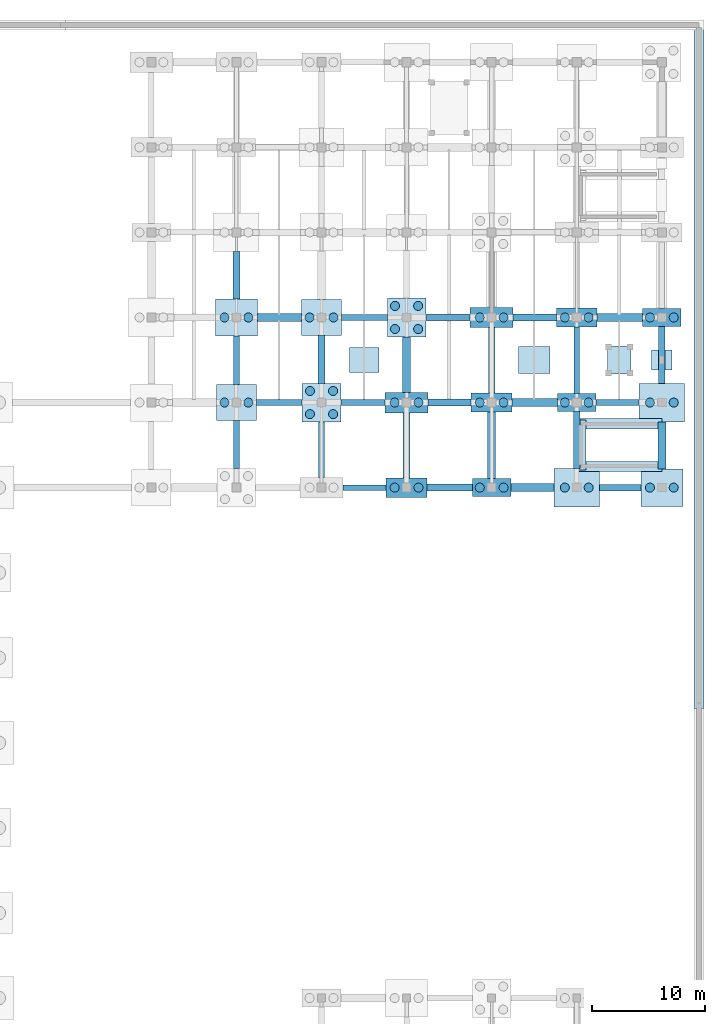
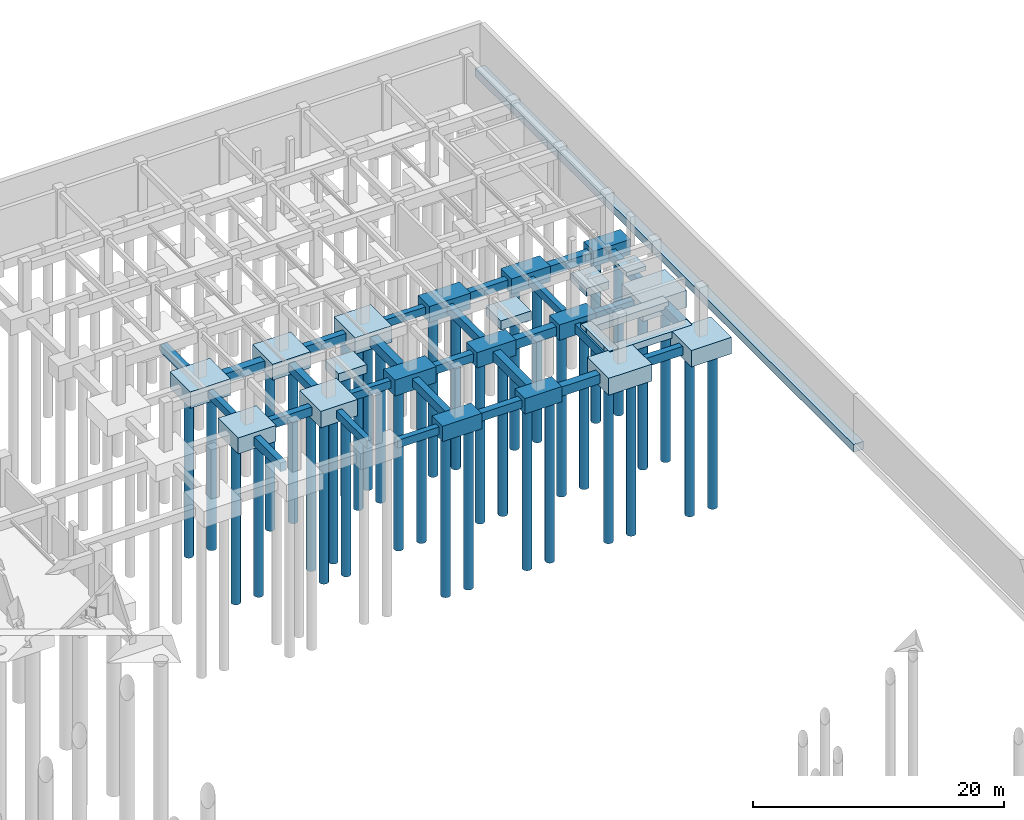
# One storey, part 11 of 38: 51 footings, 36 piles.
"""IFC4 building model written with IfcOpenShell, lengths in metres."""

from ifc_helpers import new_model, si_unit, direction, frame, origin, origin_2d, place, context, subcontext, project, spatial, polyline, rectangle, circle, outline, extrude, material, material_profile, profile_set, type_object, element, save


model = new_model("IFC4")

# Units and contexts
model_context = context("Model", 3, precision=1e-05, world=origin(), true_north=direction((0.0, 1.0)))
body_context = subcontext(model_context, "Body", "Model", "MODEL_VIEW")
ifc_project = project(units=[si_unit("LENGTHUNIT", "METRE"), si_unit("AREAUNIT", "SQUARE_METRE"), si_unit("VOLUMEUNIT", "CUBIC_METRE"), si_unit("PLANEANGLEUNIT", "RADIAN"), si_unit("MASSUNIT", "GRAM", prefix="KILO")], contexts=[model_context])

# Site, building, storey
site_placement = place(None, origin())
site = spatial("IfcSite", under=ifc_project, at=site_placement, CompositionType="ELEMENT")
building_placement = place(site_placement, origin())
building = spatial("IfcBuilding", under=site, at=building_placement, Name="Qasida Concert Hall", CompositionType="ELEMENT")
storey_placement = place(building_placement, frame((0.0, 0.0, -4.800048828125)))
storey = spatial("IfcBuildingStorey", under=building, at=storey_placement, Name="B1", CompositionType="ELEMENT", Elevation=-4.800048828125)

# Footings
ifc_material = material(Name="Concrete C40/50", Category="concrete")
footing_type_1 = type_object("IfcFootingType", Name="FT-GB-1", PredefinedType="FOOTING_BEAM", material=ifc_material)
footing_1_placement = place(storey_placement, frame((0.0, 0.0, -1.169921875)))
element("IfcFooting", 1, at=footing_1_placement, inside=storey, type_object=footing_type_1, Name="Ground tie beam GB-1 116", PredefinedType="FOOTING_BEAM", context=body_context, shape_type="SweptSolid", body=[
    extrude(outline(polyline([(136.89990234375, 74.75), (140.699951171875, 74.75), (140.699951171875, 75.25), (136.89990234375, 75.25), (136.89990234375, 74.75)])), origin(), (0.0, 0.0, 1.0), 0.75),
])
footing_2_placement = place(storey_placement, frame((0.0, 0.0, -1.169921875)))
element("IfcFooting", 2, at=footing_2_placement, inside=storey, type_object=footing_type_1, Name="Ground tie beam GB-1 136", PredefinedType="FOOTING_BEAM", context=body_context, shape_type="SweptSolid", body=[
    extrude(outline(polyline([(136.699951171875, 82.25), (140.60009765625, 82.25), (140.60009765625, 82.75), (136.699951171875, 82.75), (136.699951171875, 82.25)])), origin(), (0.0, 0.0, 1.0), 0.75),
])
footing_3_placement = place(storey_placement, frame((0.0, 0.0, -1.169921875)))
element("IfcFooting", 3, at=footing_3_placement, inside=storey, type_object=footing_type_1, Name="Ground tie beam GB-1 148", PredefinedType="FOOTING_BEAM", context=body_context, shape_type="SweptSolid", body=[
    extrude(outline(polyline([(144.199951171875, 89.75), (148.10009765625, 89.75), (148.10009765625, 90.25), (144.199951171875, 90.25), (144.199951171875, 89.75)])), origin(), (0.0, 0.0, 1.0), 0.75),
])
footing_4_placement = place(storey_placement, frame((0.0, 0.0, -1.169921875)))
element("IfcFooting", 4, at=footing_4_placement, inside=storey, type_object=footing_type_1, Name="Ground tie beam GB-1 316", PredefinedType="FOOTING_BEAM", context=body_context, shape_type="SweptSolid", body=[
    extrude(outline(polyline([(127.25, 84.10009765625), (127.75, 84.10009765625), (127.75, 88.35009765625), (127.25, 88.35009765625), (127.25, 84.10009765625)])), origin(), (0.0, 0.0, 1.0), 0.75),
])
footing_5_placement = place(storey_placement, frame((0.0, 0.0, -1.169921875)))
element("IfcFooting", 5, at=footing_5_placement, inside=storey, type_object=footing_type_1, Name="Ground tie beam GB-1 324", PredefinedType="FOOTING_BEAM", context=body_context, shape_type="SweptSolid", body=[
    extrude(outline(polyline([(134.75, 75.89990234375), (135.25, 75.89990234375), (135.25, 80.800048828125), (134.75, 80.800048828125), (134.75, 75.89990234375)])), origin(), (0.0, 0.0, 1.0), 0.75),
])
footing_6_placement = place(storey_placement, frame((0.0, 0.0, -1.169921875)))
element("IfcFooting", 6, at=footing_6_placement, inside=storey, type_object=footing_type_1, Name="Ground tie beam GB-1 352", PredefinedType="FOOTING_BEAM", context=body_context, shape_type="SweptSolid", body=[
    extrude(outline(polyline([(157.25, 83.300048828125), (157.75, 83.300048828125), (157.75, 89.14990234375), (157.25, 89.14990234375), (157.25, 83.300048828125)])), origin(), (0.0, 0.0, 1.0), 0.75),
])
footing_type_2 = type_object("IfcFootingType", Name="FT-GB-2", PredefinedType="FOOTING_BEAM", material=ifc_material)
footing_7_placement = place(storey_placement, frame((0.0, 0.0, -1.219970703125)))
element("IfcFooting", 7, at=footing_7_placement, inside=storey, type_object=footing_type_2, Name="Ground tie beam GB-2 117", PredefinedType="FOOTING_BEAM", context=body_context, shape_type="SweptSolid", body=[
    extrude(outline(polyline([(144.300048828125, 74.699951171875), (148.300048828125, 74.699951171875), (148.300048828125, 75.300048828125), (144.300048828125, 75.300048828125), (144.300048828125, 74.699951171875)])), origin(), (0.0, 0.0, 1.0), 0.800048828125),
])
footing_8_placement = place(storey_placement, frame((0.0, 0.0, -1.219970703125)))
element("IfcFooting", 8, at=footing_8_placement, inside=storey, type_object=footing_type_2, Name="Ground tie beam GB-2 137", PredefinedType="FOOTING_BEAM", context=body_context, shape_type="SweptSolid", body=[
    extrude(outline(polyline([(144.39990234375, 82.199951171875), (148.199951171875, 82.199951171875), (148.199951171875, 82.800048828125), (144.39990234375, 82.800048828125), (144.39990234375, 82.199951171875)])), origin(), (0.0, 0.0, 1.0), 0.800048828125),
])
footing_9_placement = place(storey_placement, frame((0.0, 0.0, -1.219970703125)))
element("IfcFooting", 9, at=footing_9_placement, inside=storey, type_object=footing_type_2, Name="Ground tie beam GB-2 149", PredefinedType="FOOTING_BEAM", context=body_context, shape_type="SweptSolid", body=[
    extrude(outline(polyline([(151.89990234375, 89.699951171875), (155.699951171875, 89.699951171875), (155.699951171875, 90.300048828125), (151.89990234375, 90.300048828125), (151.89990234375, 89.699951171875)])), origin(), (0.0, 0.0, 1.0), 0.800048828125),
])
footing_10_placement = place(storey_placement, frame((0.0, 0.0, -1.219970703125)))
element("IfcFooting", 10, at=footing_10_placement, inside=storey, type_object=footing_type_2, Name="Ground tie beam GB-2 317", PredefinedType="FOOTING_BEAM", context=body_context, shape_type="SweptSolid", body=[
    extrude(outline(polyline([(127.199951171875, 91.64990234375), (127.800048828125, 91.64990234375), (127.800048828125, 95.800048828125), (127.199951171875, 95.800048828125), (127.199951171875, 91.64990234375)])), origin(), (0.0, 0.0, 1.0), 0.800048828125),
])
footing_11_placement = place(storey_placement, frame((0.0, 0.0, -1.219970703125)))
element("IfcFooting", 11, at=footing_11_placement, inside=storey, type_object=footing_type_2, Name="Ground tie beam GB-2 325", PredefinedType="FOOTING_BEAM", context=body_context, shape_type="SweptSolid", body=[
    extrude(outline(polyline([(134.699951171875, 84.199951171875), (135.300048828125, 84.199951171875), (135.300048828125, 88.39990234375), (134.699951171875, 88.39990234375), (134.699951171875, 84.199951171875)])), origin(), (0.0, 0.0, 1.0), 0.800048828125),
])
footing_12_placement = place(storey_placement, frame((0.0, 0.0, -1.219970703125)))
element("IfcFooting", 12, at=footing_12_placement, inside=storey, type_object=footing_type_2, Name="Ground tie beam GB-2 333", PredefinedType="FOOTING_BEAM", context=body_context, shape_type="SweptSolid", body=[
    extrude(outline(polyline([(142.199951171875, 75.85009765625), (142.800048828125, 75.85009765625), (142.800048828125, 81.60009765625), (142.199951171875, 81.60009765625), (142.199951171875, 75.85009765625)])), origin(), (0.0, 0.0, 1.0), 0.800048828125),
])
footing_type_3 = type_object("IfcFootingType", Name="FT-GB-3", PredefinedType="FOOTING_BEAM", material=ifc_material)
footing_13_placement = place(storey_placement, frame((0.0, 0.0, -1.320068359375)))
element("IfcFooting", 13, at=footing_13_placement, inside=storey, type_object=footing_type_3, Name="Ground tie beam GB-3 118", PredefinedType="FOOTING_BEAM", context=body_context, shape_type="SweptSolid", body=[
    extrude(outline(polyline([(151.699951171875, 74.64990234375), (155.5, 74.64990234375), (155.5, 75.35009765625), (151.699951171875, 75.35009765625), (151.699951171875, 74.64990234375)])), origin(), (0.0, 0.0, 1.0), 0.900146484375),
])
footing_14_placement = place(storey_placement, frame((0.0, 0.0, -1.320068359375)))
element("IfcFooting", 14, at=footing_14_placement, inside=storey, type_object=footing_type_3, Name="Ground tie beam GB-3 138", PredefinedType="FOOTING_BEAM", context=body_context, shape_type="SweptSolid", body=[
    extrude(outline(polyline([(151.800048828125, 82.14990234375), (155.800048828125, 82.14990234375), (155.800048828125, 82.85009765625), (151.800048828125, 82.85009765625), (151.800048828125, 82.14990234375)])), origin(), (0.0, 0.0, 1.0), 0.900146484375),
])
footing_15_placement = place(storey_placement, frame((0.0, 0.0, -1.320068359375)))
element("IfcFooting", 15, at=footing_15_placement, inside=storey, type_object=footing_type_3, Name="Ground tie beam GB-3 146", PredefinedType="FOOTING_BEAM", context=body_context, shape_type="SweptSolid", body=[
    extrude(outline(polyline([(129.35009765625, 89.64990234375), (133.25, 89.64990234375), (133.25, 90.35009765625), (129.35009765625, 90.35009765625), (129.35009765625, 89.64990234375)])), origin(), (0.0, 0.0, 1.0), 0.900146484375),
])
footing_16_placement = place(storey_placement, frame((0.0, 0.0, -1.320068359375)))
element("IfcFooting", 16, at=footing_16_placement, inside=storey, type_object=footing_type_3, Name="Ground tie beam GB-3 150", PredefinedType="FOOTING_BEAM", context=body_context, shape_type="SweptSolid", body=[
    extrude(outline(polyline([(159.300048828125, 89.64990234375), (163.300048828125, 89.64990234375), (163.300048828125, 90.35009765625), (159.300048828125, 90.35009765625), (159.300048828125, 89.64990234375)])), origin(), (0.0, 0.0, 1.0), 0.900146484375),
])
footing_17_placement = place(storey_placement, frame((0.0, 0.0, -1.320068359375)))
element("IfcFooting", 17, at=footing_17_placement, inside=storey, type_object=footing_type_3, Name="Ground tie beam GB-3 334", PredefinedType="FOOTING_BEAM", context=body_context, shape_type="SweptSolid", body=[
    extrude(outline(polyline([(142.14990234375, 83.39990234375), (142.85009765625, 83.39990234375), (142.85009765625, 88.300048828125), (142.14990234375, 88.300048828125), (142.14990234375, 83.39990234375)])), origin(), (0.0, 0.0, 1.0), 0.900146484375),
])
footing_18_placement = place(storey_placement, frame((0.0, 0.0, -1.320068359375)))
element("IfcFooting", 18, at=footing_18_placement, inside=storey, type_object=footing_type_3, Name="Ground tie beam GB-3 342", PredefinedType="FOOTING_BEAM", context=body_context, shape_type="SweptSolid", body=[
    extrude(outline(polyline([(149.64990234375, 75.800048828125), (150.35009765625, 75.800048828125), (150.35009765625, 81.64990234375), (149.64990234375, 81.64990234375), (149.64990234375, 75.800048828125)])), origin(), (0.0, 0.0, 1.0), 0.900146484375),
])
footing_19_placement = place(storey_placement, frame((0.0, 0.0, -1.320068359375)))
element("IfcFooting", 19, at=footing_19_placement, inside=storey, type_object=footing_type_3, Name="Ground tie beam GB-3 358", PredefinedType="FOOTING_BEAM", context=body_context, shape_type="SweptSolid", body=[
    extrude(outline(polyline([(164.64990234375, 76.64990234375), (165.35009765625, 76.64990234375), (165.35009765625, 80.800048828125), (164.64990234375, 80.800048828125), (164.64990234375, 76.64990234375)])), origin(), (0.0, 0.0, 1.0), 0.900146484375),
])
footing_type_4 = type_object("IfcFootingType", Name="FT-GB-4", PredefinedType="FOOTING_BEAM", material=ifc_material)
footing_20_placement = place(storey_placement, frame((0.0, 0.0, -1.27001953125)))
element("IfcFooting", 20, at=footing_20_placement, inside=storey, type_object=footing_type_4, Name="Ground tie beam GB-4 119", PredefinedType="FOOTING_BEAM", context=body_context, shape_type="SweptSolid", body=[
    extrude(outline(polyline([(159.5, 74.72509765625), (163.14990234375, 74.72509765625), (163.14990234375, 75.27490234375), (159.5, 75.27490234375), (159.5, 74.72509765625)])), origin(), (0.0, 0.0, 1.0), 0.85009765625),
])
footing_21_placement = place(storey_placement, frame((0.0, 0.0, -1.27001953125)))
element("IfcFooting", 21, at=footing_21_placement, inside=storey, type_object=footing_type_4, Name="Ground tie beam GB-4 135", PredefinedType="FOOTING_BEAM", context=body_context, shape_type="SweptSolid", body=[
    extrude(outline(polyline([(129.25, 82.22509765625), (133.300048828125, 82.22509765625), (133.300048828125, 82.77490234375), (129.25, 82.77490234375), (129.25, 82.22509765625)])), origin(), (0.0, 0.0, 1.0), 0.85009765625),
])
footing_22_placement = place(storey_placement, frame((0.0, 0.0, -1.27001953125)))
element("IfcFooting", 22, at=footing_22_placement, inside=storey, type_object=footing_type_4, Name="Ground tie beam GB-4 139", PredefinedType="FOOTING_BEAM", context=body_context, shape_type="SweptSolid", body=[
    extrude(outline(polyline([(159.199951171875, 82.22509765625), (163.0, 82.22509765625), (163.0, 82.77490234375), (159.199951171875, 82.77490234375), (159.199951171875, 82.22509765625)])), origin(), (0.0, 0.0, 1.0), 0.85009765625),
])
footing_23_placement = place(storey_placement, frame((0.0, 0.0, -1.27001953125)))
element("IfcFooting", 23, at=footing_23_placement, inside=storey, type_object=footing_type_4, Name="Ground tie beam GB-4 147", PredefinedType="FOOTING_BEAM", context=body_context, shape_type="SweptSolid", body=[
    extrude(outline(polyline([(136.75, 89.72509765625), (140.800048828125, 89.72509765625), (140.800048828125, 90.27490234375), (136.75, 90.27490234375), (136.75, 89.72509765625)])), origin(), (0.0, 0.0, 1.0), 0.85009765625),
])
footing_24_placement = place(storey_placement, frame((0.0, 0.0, -1.27001953125)))
element("IfcFooting", 24, at=footing_24_placement, inside=storey, type_object=footing_type_4, Name="Ground tie beam GB-4 315", PredefinedType="FOOTING_BEAM", context=body_context, shape_type="SweptSolid", body=[
    extrude(outline(polyline([(127.22509765625, 76.699951171875), (127.77490234375, 76.699951171875), (127.77490234375, 80.89990234375), (127.22509765625, 80.89990234375), (127.22509765625, 76.699951171875)])), origin(), (0.0, 0.0, 1.0), 0.85009765625),
])
footing_25_placement = place(storey_placement, frame((0.0, 0.0, -1.27001953125)))
element("IfcFooting", 25, at=footing_25_placement, inside=storey, type_object=footing_type_4, Name="Ground tie beam GB-4 343", PredefinedType="FOOTING_BEAM", context=body_context, shape_type="SweptSolid", body=[
    extrude(outline(polyline([(149.72509765625, 83.35009765625), (150.27490234375, 83.35009765625), (150.27490234375, 89.10009765625), (149.72509765625, 89.10009765625), (149.72509765625, 83.35009765625)])), origin(), (0.0, 0.0, 1.0), 0.85009765625),
])
footing_26_placement = place(storey_placement, frame((0.0, 0.0, -1.27001953125)))
element("IfcFooting", 26, at=footing_26_placement, inside=storey, type_object=footing_type_4, Name="Ground tie beam GB-4 351", PredefinedType="FOOTING_BEAM", context=body_context, shape_type="SweptSolid", body=[
    extrude(outline(polyline([(157.22509765625, 76.699951171875), (157.77490234375, 76.699951171875), (157.77490234375, 81.699951171875), (157.22509765625, 81.699951171875), (157.22509765625, 76.699951171875)])), origin(), (0.0, 0.0, 1.0), 0.85009765625),
])
footing_27_placement = place(storey_placement, frame((0.0, 0.0, -1.27001953125)))
element("IfcFooting", 27, at=footing_27_placement, inside=storey, type_object=footing_type_4, Name="Ground tie beam GB-4 359", PredefinedType="FOOTING_BEAM", context=body_context, shape_type="SweptSolid", body=[
    extrude(outline(polyline([(164.72509765625, 84.199951171875), (165.27490234375, 84.199951171875), (165.27490234375, 89.199951171875), (164.72509765625, 89.199951171875), (164.72509765625, 84.199951171875)])), origin(), (0.0, 0.0, 1.0), 0.85009765625),
])
footing_type_5 = type_object("IfcFootingType", Name="FT-PC-2C", PredefinedType="PILE_CAP", material=ifc_material)
for number, where, z_axis, x_axis, name in (
    (28, (150.0, 75.0, -1.5), (0.0, 0.0, 1.0), (1.0, 0.0, 0.0), "Pile cap PC-2C 161"),
    (29, (157.5, 82.5, -1.5), (0.0, 0.0, 1.0), (1.0, 0.0, 0.0), "Pile cap PC-2C 168"),
    (30, (165.0, 90.0, -1.5), (0.0, 0.0, 1.0), (1.0, 0.0, 0.0), "Pile cap PC-2C 175"),
):
    element("IfcFooting", number, at=place(storey_placement, frame(where, z_axis=z_axis, x_axis=x_axis)), inside=storey, type_object=footing_type_5, Name=name, PredefinedType="PILE_CAP", context=body_context, shape_type="SweptSolid", body=[
        extrude(rectangle(XDim=3.39990234375, YDim=1.60009765625, at=origin_2d()), origin(), (0.0, 0.0, 1.0), 1.5),
    ])
footing_type_6 = type_object("IfcFootingType", Name="FT-PC-2D", PredefinedType="PILE_CAP", material=ifc_material)
for number, where, z_axis, x_axis, name in (
    (31, (142.5, 75.0, -1.5), (0.0, 0.0, 1.0), (1.0, 0.0, 0.0), "Pile cap PC-2D 155"),
    (32, (150.0, 82.5, -1.5), (0.0, 0.0, 1.0), (1.0, 0.0, 0.0), "Pile cap PC-2D 162"),
    (33, (157.5, 90.0, -1.5), (0.0, 0.0, 1.0), (1.0, 0.0, 0.0), "Pile cap PC-2D 169"),
):
    element("IfcFooting", number, at=place(storey_placement, frame(where, z_axis=z_axis, x_axis=x_axis)), inside=storey, type_object=footing_type_6, Name=name, PredefinedType="PILE_CAP", context=body_context, shape_type="SweptSolid", body=[
        extrude(rectangle(XDim=3.60009765625, YDim=1.699951171875, at=origin_2d()), origin(), (0.0, 0.0, 1.0), 1.5),
    ])
footing_type_7 = type_object("IfcFootingType", Name="FT-PC-2E", PredefinedType="PILE_CAP", material=ifc_material)
for number, where, z_axis, x_axis, name in (
    (34, (142.5, 82.5, -1.5498046875), (0.0, 0.0, 1.0), (1.0, 0.0, 0.0), "Pile cap PC-2E 156"),
    (35, (150.0, 90.0, -1.5498046875), (0.0, 0.0, 1.0), (1.0, 0.0, 0.0), "Pile cap PC-2E 163"),
):
    element("IfcFooting", number, at=place(storey_placement, frame(where, z_axis=z_axis, x_axis=x_axis)), inside=storey, type_object=footing_type_7, Name=name, PredefinedType="PILE_CAP", context=body_context, shape_type="SweptSolid", body=[
        extrude(rectangle(XDim=3.800048828125, YDim=1.800048828125, at=origin_2d()), origin(), (0.0, 0.0, 1.0), 1.550048828125),
    ])
footing_type_8 = type_object("IfcFootingType", Name="FT-PC-3B", PredefinedType="PILE_CAP", material=ifc_material)
for number, where, z_axis, x_axis, name in (
    (36, (127.5, 82.5, -1.5498046875), (0.0, 0.0, 1.0), (1.0, 0.0, 0.0), "Pile cap PC-3B 144"),
    (37, (135.0, 90.0, -1.5498046875), (0.0, 0.0, 1.0), (1.0, 0.0, 0.0), "Pile cap PC-3B 151"),
):
    element("IfcFooting", number, at=place(storey_placement, frame(where, z_axis=z_axis, x_axis=x_axis)), inside=storey, type_object=footing_type_8, Name=name, PredefinedType="PILE_CAP", context=body_context, shape_type="SweptSolid", body=[
        extrude(rectangle(XDim=3.5, YDim=3.199951171875, at=origin_2d()), origin(), (0.0, 0.0, 1.0), 1.550048828125),
    ])
footing_type_9 = type_object("IfcFootingType", Name="FT-PC-3C", PredefinedType="PILE_CAP", material=ifc_material)
for number, where, z_axis, x_axis, name in (
    (38, (127.5, 90.0, -1.60009765625), (0.0, 0.0, 1.0), (1.0, 0.0, 0.0), "Pile cap PC-3C 145"),
    (39, (165.0, 75.0, -1.60009765625), (0.0, 0.0, 1.0), (1.0, 0.0, 0.0), "Pile cap PC-3C 173"),
):
    element("IfcFooting", number, at=place(storey_placement, frame(where, z_axis=z_axis, x_axis=x_axis)), inside=storey, type_object=footing_type_9, Name=name, PredefinedType="PILE_CAP", context=body_context, shape_type="SweptSolid", body=[
        extrude(rectangle(XDim=3.699951171875, YDim=3.300048828125, at=origin_2d()), origin(), (0.0, 0.0, 1.0), 1.60009765625),
    ])
footing_type_10 = type_object("IfcFootingType", Name="FT-PC-4B", PredefinedType="PILE_CAP", material=ifc_material)
for number, where, z_axis, x_axis, name in (
    (40, (135.0, 82.5, -1.60009765625), (0.0, 0.0, 1.0), (1.0, 0.0, 0.0), "Pile cap PC-4B 150"),
    (41, (142.5, 90.0, -1.60009765625), (0.0, 0.0, 1.0), (1.0, 0.0, 0.0), "Pile cap PC-4B 157"),
):
    element("IfcFooting", number, at=place(storey_placement, frame(where, z_axis=z_axis, x_axis=x_axis)), inside=storey, type_object=footing_type_10, Name=name, PredefinedType="PILE_CAP", context=body_context, shape_type="SweptSolid", body=[
        extrude(rectangle(XDim=3.39990234375, YDim=3.39990234375, at=origin_2d()), origin(), (0.0, 0.0, 1.0), 1.60009765625),
    ])
footing_type_11 = type_object("IfcFootingType", Name="FT-PC-4E", PredefinedType="PILE_CAP", material=ifc_material)
for number, where, z_axis, x_axis, name in (
    (42, (157.5, 75.0, -1.64990234375), (0.0, 0.0, 1.0), (1.0, 0.0, 0.0), "Pile cap PC-4E 167"),
    (43, (165.0, 82.5, -1.64990234375), (0.0, 0.0, 1.0), (1.0, 0.0, 0.0), "Pile cap PC-4E 174"),
):
    element("IfcFooting", number, at=place(storey_placement, frame(where, z_axis=z_axis, x_axis=x_axis)), inside=storey, type_object=footing_type_11, Name=name, PredefinedType="PILE_CAP", context=body_context, shape_type="SweptSolid", body=[
        extrude(rectangle(XDim=4.0, YDim=3.39990234375, at=origin_2d()), origin(), (0.0, 0.0, 1.0), 1.64990234375),
    ])
footing_type_12 = type_object("IfcFootingType", Name="FT-PF-1", PredefinedType="PAD_FOOTING", material=ifc_material)
footing_28_placement = place(storey_placement, frame((0.0, 0.0, -0.419921875)))
element("IfcFooting", 44, at=footing_28_placement, inside=storey, type_object=footing_type_12, Name="Pad footing PF-1 pilaster 1650-862", PredefinedType="PAD_FOOTING", context=body_context, shape_type="SweptSolid", body=[
    extrude(outline(polyline([(164.10009765625, 85.35009765625), (165.89990234375, 85.35009765625), (165.89990234375, 87.14990234375), (164.10009765625, 87.14990234375), (164.10009765625, 85.35009765625)])), origin(), (0.0, 0.0, 1.0), 0.419921875),
])
footing_type_13 = type_object("IfcFootingType", Name="FT-PF-5", PredefinedType="PAD_FOOTING", material=ifc_material)
footing_29_placement = place(storey_placement, frame((138.75, 86.25, -1.27001953125), z_axis=(0.0, 0.0, 1.0), x_axis=(1.0, 0.0, 0.0)))
element("IfcFooting", 45, at=footing_29_placement, inside=storey, type_object=footing_type_13, Name="Pad footing PF-5 05", PredefinedType="PAD_FOOTING", context=body_context, shape_type="SweptSolid", body=[
    extrude(rectangle(XDim=2.60009765625, YDim=2.199951171875, at=origin_2d()), origin(), (0.0, 0.0, 1.0), 0.85009765625),
])
footing_type_14 = type_object("IfcFootingType", Name="FT-PF-6", PredefinedType="PAD_FOOTING", material=ifc_material)
footing_30_placement = place(storey_placement, frame((153.75, 86.25, -1.31982421875), z_axis=(0.0, 0.0, 1.0), x_axis=(1.0, 0.0, 0.0)))
element("IfcFooting", 46, at=footing_30_placement, inside=storey, type_object=footing_type_14, Name="Pad footing PF-6 06", PredefinedType="PAD_FOOTING", context=body_context, shape_type="SweptSolid", body=[
    extrude(rectangle(XDim=2.800048828125, YDim=2.39990234375, at=origin_2d()), origin(), (0.0, 0.0, 1.0), 0.89990234375),
])
footing_type_15 = type_object("IfcFootingType", Name="FT-PF-6A", PredefinedType="PAD_FOOTING", material=ifc_material)
footing_31_placement = place(storey_placement, frame((0.0, 0.0, -0.75)))
element("IfcFooting", 47, at=footing_31_placement, inside=storey, type_object=footing_type_15, Name="Lift pit foundation LF-09", PredefinedType="PAD_FOOTING", context=body_context, shape_type="SweptSolid", body=[
    extrude(outline(polyline([(160.199951171875, 85.0), (162.300048828125, 85.0), (162.300048828125, 87.5), (160.199951171875, 87.5), (160.199951171875, 85.0)])), origin(), (0.0, 0.0, 1.0), 0.75),
])
footing_type_16 = type_object("IfcFootingType", Name="FT-SF-1B", PredefinedType="STRIP_FOOTING", material=ifc_material)
footing_32_placement = place(storey_placement, frame((0.0, 0.0, -0.64990234375)))
element("IfcFooting", 48, at=footing_32_placement, inside=storey, type_object=footing_type_16, Name="B1 ST-07 core strip footing S", PredefinedType="STRIP_FOOTING", context=body_context, shape_type="SweptSolid", body=[
    extrude(outline(polyline([(157.39990234375, 76.425048828125), (165.0, 76.425048828125), (165.0, 77.324951171875), (157.39990234375, 77.324951171875), (157.39990234375, 76.425048828125)])), origin(), (0.0, 0.0, 1.0), 0.64990234375),
])
footing_33_placement = place(storey_placement, frame((0.0, 0.0, -0.64990234375)))
element("IfcFooting", 49, at=footing_33_placement, inside=storey, type_object=footing_type_16, Name="B1 ST-07 core strip footing N", PredefinedType="STRIP_FOOTING", context=body_context, shape_type="SweptSolid", body=[
    extrude(outline(polyline([(157.39990234375, 80.175048828125), (165.0, 80.175048828125), (165.0, 81.074951171875), (157.39990234375, 81.074951171875), (157.39990234375, 80.175048828125)])), origin(), (0.0, 0.0, 1.0), 0.64990234375),
])
footing_34_placement = place(storey_placement, frame((0.0, 0.0, -0.64990234375)))
element("IfcFooting", 50, at=footing_34_placement, inside=storey, type_object=footing_type_16, Name="B1 ST-07 core strip footing W", PredefinedType="STRIP_FOOTING", context=body_context, shape_type="SweptSolid", body=[
    extrude(outline(polyline([(157.405029296875, 76.550048828125), (158.304931640625, 76.550048828125), (158.304931640625, 80.949951171875), (157.405029296875, 80.949951171875), (157.405029296875, 76.550048828125)])), origin(), (0.0, 0.0, 1.0), 0.64990234375),
])
footing_type_17 = type_object("IfcFootingType", Name="FT-SF-2A", PredefinedType="STRIP_FOOTING", material=ifc_material)
footing_35_placement = place(storey_placement, frame((0.0, 0.0, -0.75)))
element("IfcFooting", 51, at=footing_35_placement, inside=storey, type_object=footing_type_17, Name="B1 plaza plinth strip footing PLW-E2", PredefinedType="STRIP_FOOTING", context=body_context, shape_type="SweptSolid", body=[
    extrude(outline(polyline([(167.824951171875, 55.550048828125), (168.72509765625, 55.550048828125), (168.72509765625, 116.0), (167.824951171875, 116.0), (167.824951171875, 55.550048828125)])), origin(), (0.0, 0.0, 1.0), 0.75),
])

# Piles
ifc_material_profile = material_profile(ifc_material, circle(Radius=0.39990234375, at=origin_2d()), Name="BORED PILE D800")
ifc_profile_set = profile_set([ifc_material_profile], Name="Concrete C40/50")
pile_type = type_object("IfcPileType", Name="PL-BORED-800", PredefinedType="BORED", material=ifc_profile_set)
for number, where, z_axis, x_axis, name in (
    (52, (126.449951171875, 82.5, -1.449951171875), (0.0, 0.0, -1.0), (1.0, 0.0, 0.0), "Bored pile 0329"),
    (53, (128.550048828125, 82.5, -1.449951171875), (0.0, 0.0, -1.0), (1.0, 0.0, 0.0), "Bored pile 0330"),
):
    element("IfcPile", number, at=place(storey_placement, frame(where, z_axis=z_axis, x_axis=x_axis)), inside=storey, type_object=pile_type, Name=name, PredefinedType="BORED", context=body_context, shape_type="SweptSolid", body=[
        extrude(circle(Radius=0.39990234375, at=origin_2d()), origin(), (0.0, 0.0, 1.0), 15.75),
    ])
for number, where, z_axis, x_axis, name in (
    (54, (126.449951171875, 90.0, -1.5), (0.0, 0.0, -1.0), (1.0, 0.0, 0.0), "Bored pile 0331"),
    (55, (128.550048828125, 90.0, -1.5), (0.0, 0.0, -1.0), (1.0, 0.0, 0.0), "Bored pile 0332"),
    (56, (133.97998046875, 81.47998046875, -1.5), (0.0, 0.0, -1.0), (1.0, 0.0, 0.0), "Bored pile 0341"),
    (57, (136.02001953125, 81.47998046875, -1.5), (0.0, 0.0, -1.0), (1.0, 0.0, 0.0), "Bored pile 0342"),
    (58, (133.97998046875, 83.52001953125, -1.5), (0.0, 0.0, -1.0), (1.0, 0.0, 0.0), "Bored pile 0343"),
    (59, (136.02001953125, 83.52001953125, -1.5), (0.0, 0.0, -1.0), (1.0, 0.0, 0.0), "Bored pile 0344"),
):
    element("IfcPile", number, at=place(storey_placement, frame(where, z_axis=z_axis, x_axis=x_axis)), inside=storey, type_object=pile_type, Name=name, PredefinedType="BORED", context=body_context, shape_type="SweptSolid", body=[
        extrude(circle(Radius=0.39990234375, at=origin_2d()), origin(), (0.0, 0.0, 1.0), 15.699951171875),
    ])
for number, where, z_axis, x_axis, name in (
    (60, (133.949951171875, 90.0, -1.449951171875), (0.0, 0.0, -1.0), (1.0, 0.0, 0.0), "Bored pile 0345"),
    (61, (136.050048828125, 90.0, -1.449951171875), (0.0, 0.0, -1.0), (1.0, 0.0, 0.0), "Bored pile 0346"),
):
    element("IfcPile", number, at=place(storey_placement, frame(where, z_axis=z_axis, x_axis=x_axis)), inside=storey, type_object=pile_type, Name=name, PredefinedType="BORED", context=body_context, shape_type="SweptSolid", body=[
        extrude(circle(Radius=0.39990234375, at=origin_2d()), origin(), (0.0, 0.0, 1.0), 15.75),
    ])
for number, where, z_axis, x_axis, name in (
    (62, (141.449951171875, 75.0, -1.39990234375), (0.0, 0.0, -1.0), (1.0, 0.0, 0.0), "Bored pile 0353"),
    (63, (143.550048828125, 75.0, -1.39990234375), (0.0, 0.0, -1.0), (1.0, 0.0, 0.0), "Bored pile 0354"),
):
    element("IfcPile", number, at=place(storey_placement, frame(where, z_axis=z_axis, x_axis=x_axis)), inside=storey, type_object=pile_type, Name=name, PredefinedType="BORED", context=body_context, shape_type="SweptSolid", body=[
        extrude(circle(Radius=0.39990234375, at=origin_2d()), origin(), (0.0, 0.0, 1.0), 15.800048828125),
    ])
for number, where, z_axis, x_axis, name in (
    (64, (141.449951171875, 82.5, -1.449951171875), (0.0, 0.0, -1.0), (1.0, 0.0, 0.0), "Bored pile 0355"),
    (65, (143.550048828125, 82.5, -1.449951171875), (0.0, 0.0, -1.0), (1.0, 0.0, 0.0), "Bored pile 0356"),
):
    element("IfcPile", number, at=place(storey_placement, frame(where, z_axis=z_axis, x_axis=x_axis)), inside=storey, type_object=pile_type, Name=name, PredefinedType="BORED", context=body_context, shape_type="SweptSolid", body=[
        extrude(circle(Radius=0.39990234375, at=origin_2d()), origin(), (0.0, 0.0, 1.0), 15.75),
    ])
for number, where, z_axis, x_axis, name in (
    (66, (141.47998046875, 88.97998046875, -1.5), (0.0, 0.0, -1.0), (1.0, 0.0, 0.0), "Bored pile 0357"),
    (67, (143.52001953125, 88.97998046875, -1.5), (0.0, 0.0, -1.0), (1.0, 0.0, 0.0), "Bored pile 0358"),
    (68, (141.47998046875, 91.02001953125, -1.5), (0.0, 0.0, -1.0), (1.0, 0.0, 0.0), "Bored pile 0359"),
    (69, (143.52001953125, 91.02001953125, -1.5), (0.0, 0.0, -1.0), (1.0, 0.0, 0.0), "Bored pile 0360"),
):
    element("IfcPile", number, at=place(storey_placement, frame(where, z_axis=z_axis, x_axis=x_axis)), inside=storey, type_object=pile_type, Name=name, PredefinedType="BORED", context=body_context, shape_type="SweptSolid", body=[
        extrude(circle(Radius=0.39990234375, at=origin_2d()), origin(), (0.0, 0.0, 1.0), 15.699951171875),
    ])
for number, where, z_axis, x_axis, name in (
    (70, (148.949951171875, 75.0, -1.39990234375), (0.0, 0.0, -1.0), (1.0, 0.0, 0.0), "Bored pile 0367"),
    (71, (151.050048828125, 75.0, -1.39990234375), (0.0, 0.0, -1.0), (1.0, 0.0, 0.0), "Bored pile 0368"),
    (72, (148.949951171875, 82.5, -1.39990234375), (0.0, 0.0, -1.0), (1.0, 0.0, 0.0), "Bored pile 0369"),
    (73, (151.050048828125, 82.5, -1.39990234375), (0.0, 0.0, -1.0), (1.0, 0.0, 0.0), "Bored pile 0370"),
):
    element("IfcPile", number, at=place(storey_placement, frame(where, z_axis=z_axis, x_axis=x_axis)), inside=storey, type_object=pile_type, Name=name, PredefinedType="BORED", context=body_context, shape_type="SweptSolid", body=[
        extrude(circle(Radius=0.39990234375, at=origin_2d()), origin(), (0.0, 0.0, 1.0), 15.800048828125),
    ])
for number, where, z_axis, x_axis, name in (
    (74, (148.949951171875, 90.0, -1.449951171875), (0.0, 0.0, -1.0), (1.0, 0.0, 0.0), "Bored pile 0371"),
    (75, (151.050048828125, 90.0, -1.449951171875), (0.0, 0.0, -1.0), (1.0, 0.0, 0.0), "Bored pile 0372"),
):
    element("IfcPile", number, at=place(storey_placement, frame(where, z_axis=z_axis, x_axis=x_axis)), inside=storey, type_object=pile_type, Name=name, PredefinedType="BORED", context=body_context, shape_type="SweptSolid", body=[
        extrude(circle(Radius=0.39990234375, at=origin_2d()), origin(), (0.0, 0.0, 1.0), 15.75),
    ])
for number, where, z_axis, x_axis, name in (
    (76, (156.449951171875, 75.0, -1.550048828125), (0.0, 0.0, -1.0), (1.0, 0.0, 0.0), "Bored pile 0381"),
    (77, (158.550048828125, 75.0, -1.550048828125), (0.0, 0.0, -1.0), (1.0, 0.0, 0.0), "Bored pile 0382"),
):
    element("IfcPile", number, at=place(storey_placement, frame(where, z_axis=z_axis, x_axis=x_axis)), inside=storey, type_object=pile_type, Name=name, PredefinedType="BORED", context=body_context, shape_type="SweptSolid", body=[
        extrude(circle(Radius=0.39990234375, at=origin_2d()), origin(), (0.0, 0.0, 1.0), 15.64990234375),
    ])
for number, where, z_axis, x_axis, name in (
    (78, (156.449951171875, 82.5, -1.39990234375), (0.0, 0.0, -1.0), (1.0, 0.0, 0.0), "Bored pile 0383"),
    (79, (158.550048828125, 82.5, -1.39990234375), (0.0, 0.0, -1.0), (1.0, 0.0, 0.0), "Bored pile 0384"),
    (80, (156.449951171875, 90.0, -1.39990234375), (0.0, 0.0, -1.0), (1.0, 0.0, 0.0), "Bored pile 0385"),
    (81, (158.550048828125, 90.0, -1.39990234375), (0.0, 0.0, -1.0), (1.0, 0.0, 0.0), "Bored pile 0386"),
):
    element("IfcPile", number, at=place(storey_placement, frame(where, z_axis=z_axis, x_axis=x_axis)), inside=storey, type_object=pile_type, Name=name, PredefinedType="BORED", context=body_context, shape_type="SweptSolid", body=[
        extrude(circle(Radius=0.39990234375, at=origin_2d()), origin(), (0.0, 0.0, 1.0), 15.800048828125),
    ])
for number, where, z_axis, x_axis, name in (
    (82, (163.949951171875, 75.0, -1.5), (0.0, 0.0, -1.0), (1.0, 0.0, 0.0), "Bored pile 0395"),
    (83, (166.050048828125, 75.0, -1.5), (0.0, 0.0, -1.0), (1.0, 0.0, 0.0), "Bored pile 0396"),
):
    element("IfcPile", number, at=place(storey_placement, frame(where, z_axis=z_axis, x_axis=x_axis)), inside=storey, type_object=pile_type, Name=name, PredefinedType="BORED", context=body_context, shape_type="SweptSolid", body=[
        extrude(circle(Radius=0.39990234375, at=origin_2d()), origin(), (0.0, 0.0, 1.0), 15.699951171875),
    ])
for number, where, z_axis, x_axis, name in (
    (84, (163.949951171875, 82.5, -1.550048828125), (0.0, 0.0, -1.0), (1.0, 0.0, 0.0), "Bored pile 0397"),
    (85, (166.050048828125, 82.5, -1.550048828125), (0.0, 0.0, -1.0), (1.0, 0.0, 0.0), "Bored pile 0398"),
):
    element("IfcPile", number, at=place(storey_placement, frame(where, z_axis=z_axis, x_axis=x_axis)), inside=storey, type_object=pile_type, Name=name, PredefinedType="BORED", context=body_context, shape_type="SweptSolid", body=[
        extrude(circle(Radius=0.39990234375, at=origin_2d()), origin(), (0.0, 0.0, 1.0), 15.64990234375),
    ])
for number, where, z_axis, x_axis, name in (
    (86, (163.949951171875, 90.0, -1.39990234375), (0.0, 0.0, -1.0), (1.0, 0.0, 0.0), "Bored pile 0399"),
    (87, (166.050048828125, 90.0, -1.39990234375), (0.0, 0.0, -1.0), (1.0, 0.0, 0.0), "Bored pile 0400"),
):
    element("IfcPile", number, at=place(storey_placement, frame(where, z_axis=z_axis, x_axis=x_axis)), inside=storey, type_object=pile_type, Name=name, PredefinedType="BORED", context=body_context, shape_type="SweptSolid", body=[
        extrude(circle(Radius=0.39990234375, at=origin_2d()), origin(), (0.0, 0.0, 1.0), 15.800048828125),
    ])

save(model, "model.ifc")
